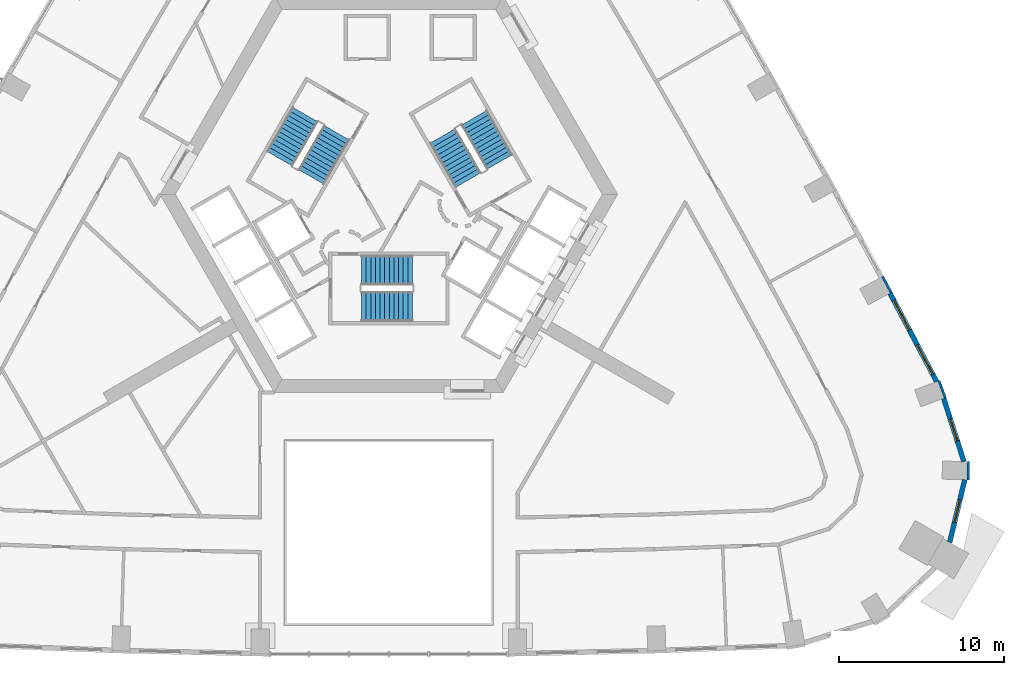
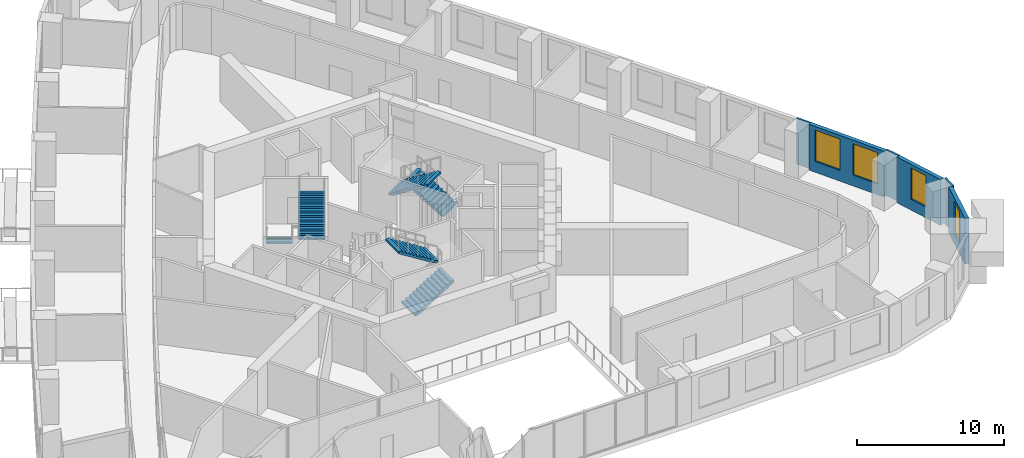
# One storey, part 11 of 15: 6 stair flights, 6 walls, 4 windows, 4 openings, 3 elements without a shape of their own.
"""IFC4 building model written with IfcOpenShell, lengths in metres."""

from ifc_helpers import new_model, si_unit, direction, frame, frame_2d, origin, place, context, subcontext, project, spatial, polyline, rectangle, outline, extrude, material, layer, layer_set, type_object, element, fill, aggregate, save


model = new_model("IFC4")

# Units and contexts
model_context = context("Model", 3, precision=1e-05, world=origin(), true_north=direction((0.0, 1.0)))
body_context = subcontext(model_context, "Body", "Model", "MODEL_VIEW")
ifc_project = project(units=[si_unit("LENGTHUNIT", "METRE"), si_unit("AREAUNIT", "SQUARE_METRE"), si_unit("VOLUMEUNIT", "CUBIC_METRE"), si_unit("PLANEANGLEUNIT", "RADIAN"), si_unit("MASSUNIT", "GRAM", prefix="KILO")], contexts=[model_context])

# Site, building, storey
site_placement = place(None, origin())
site = spatial("IfcSite", under=ifc_project, at=site_placement, CompositionType="ELEMENT")
building_placement = place(site_placement, origin())
building = spatial("IfcBuilding", under=site, at=building_placement, Name="Entoto Arch Interchange Tower", CompositionType="ELEMENT")
storey_placement = place(building_placement, frame((0.0, 0.0, 171.800048828125)))
storey = spatial("IfcBuildingStorey", under=building, at=storey_placement, Name="L38", CompositionType="ELEMENT", Elevation=171.800048828125)

# Wall, opening, window
ifc_material_1 = material(Name="Welded tuff (ignimbrite) cladding, warm buff", Category="masonry")
ifc_layer_1 = layer(ifc_material_1, 0.300048828125)
ifc_layer_set_1 = layer_set([ifc_layer_1], Name="Welded tuff (ignimbrite) cladding, warm buff")
wall_type_1 = type_object("IfcWallType", Name="STONE INFILL WALL 300", PredefinedType="STANDARD", material=ifc_layer_set_1)
wall_1_placement = place(storey_placement, frame((33.972900390625, -18.574951171875, 0.0), z_axis=(0.0, 0.0, 1.0), x_axis=(0.234102046927, 0.972212030179, 0.0)))
wall_1 = element("IfcWall", 1, at=wall_1_placement, inside=storey, type_object=wall_type_1, Name="Facade wall SE-03 L38", PredefinedType="STANDARD", context=body_context, shape_type="SweptSolid", body=[
    extrude(rectangle(XDim=3.900390625, YDim=0.300048828125, at=frame_2d((1.9501953125, 0.0))), origin(), (0.0, 0.0, 1.0), 3.800048828125),
])
opening_1_placement = place(wall_1_placement, frame((1.25, 0.0, 0.89990234375)))
opening_1 = element("IfcOpeningElement", 2, at=opening_1_placement, cuts=wall_1, Name="Opening WO-B", PredefinedType="OPENING", context=body_context, shape_type="SweptSolid", body=[
    extrude(rectangle(XDim=1.39990234375, YDim=2.60009765625, at=frame_2d((0.699951171875, 1.300048828125))), frame((0.0, 0.16015625, 0.0), z_axis=(0.0, -1.0, 0.0), x_axis=(1.0, 0.0, 0.0)), (0.0, 0.0, 1.0), 0.320068359375),
])
ifc_material_2 = material(Name="Clear glass, low-e double glazed", Category="glass")
window_type_1 = type_object("IfcWindowType", Name="WINDOW WO-B 1400x2600", PartitioningType="DOUBLE_PANEL_VERTICAL", PredefinedType="WINDOW", material=ifc_material_2)
window_1_placement = place(opening_1_placement, origin())
window_1 = element("IfcWindow", 3, at=window_1_placement, inside=storey, type_object=window_type_1, Name="Window WO-B SE-03 L38", OverallHeight=2.60009765625, OverallWidth=1.39990234375, PartitioningType="SINGLE_PANEL", PredefinedType="WINDOW", context=body_context, shape_type="SweptSolid", body=[
    extrude(rectangle(XDim=1.39990234375, YDim=2.60009765625, at=frame_2d((0.699951171875, 1.300048828125))), frame((0.0, 0.030029296875, 0.0), z_axis=(0.0, -1.0, 0.0), x_axis=(1.0, 0.0, 0.0)), (0.0, 0.0, 1.0), 0.06005859375),
])
fill(opening_1, window_1)

wall_2_placement = place(storey_placement, frame((34.8349609375, -13.68408203125, 0.0), z_axis=(0.0, 0.0, 1.0), x_axis=(-0.305018133869, 0.952346543025, 0.0)))
wall_2 = element("IfcWall", 4, at=wall_2_placement, inside=storey, type_object=wall_type_1, Name="Facade wall SE-04 L38", PredefinedType="STANDARD", context=body_context, shape_type="SweptSolid", body=[
    extrude(rectangle(XDim=4.019775390625, YDim=0.300048828125, at=frame_2d((2.009765625, 0.0))), origin(), (0.0, 0.0, 1.0), 3.800048828125),
])
opening_2_placement = place(wall_2_placement, frame((1.31005859375, 0.0, 0.89990234375)))
opening_2 = element("IfcOpeningElement", 5, at=opening_2_placement, cuts=wall_2, Name="Opening WO-B", PredefinedType="OPENING", context=body_context, shape_type="SweptSolid", body=[
    extrude(rectangle(XDim=1.39990234375, YDim=2.60009765625, at=frame_2d((0.699951171875, 1.300048828125))), frame((0.0, 0.16015625, 0.0), z_axis=(0.0, -1.0, 0.0), x_axis=(1.0, 0.0, 0.0)), (0.0, 0.0, 1.0), 0.320068359375),
])
window_2_placement = place(opening_2_placement, origin())
window_2 = element("IfcWindow", 6, at=window_2_placement, inside=storey, type_object=window_type_1, Name="Window WO-B SE-04 L38", OverallHeight=2.60009765625, OverallWidth=1.39990234375, PartitioningType="SINGLE_PANEL", PredefinedType="WINDOW", context=body_context, shape_type="SweptSolid", body=[
    extrude(rectangle(XDim=1.39990234375, YDim=2.60009765625, at=frame_2d((0.699951171875, 1.300048828125))), frame((0.0, 0.030029296875, 0.0), z_axis=(0.0, -1.0, 0.0), x_axis=(1.0, 0.0, 0.0)), (0.0, 0.0, 1.0), 0.06005859375),
])
fill(opening_2, window_2)

# Wall, openings, windows
wall_3_placement = place(storey_placement, frame((33.181884765625, -8.843994140625, 0.0), z_axis=(0.0, 0.0, 1.0), x_axis=(-0.466399410196, 0.884574242316, 0.0)))
wall_3 = element("IfcWall", 7, at=wall_3_placement, inside=storey, type_object=wall_type_1, Name="Facade wall NE-01 L38", PredefinedType="STANDARD", context=body_context, shape_type="SweptSolid", body=[
    extrude(rectangle(XDim=6.054931640625, YDim=0.300048828125, at=frame_2d((3.02734375, 0.0))), origin(), (0.0, 0.0, 1.0), 3.800048828125),
])
opening_3_placement = place(wall_3_placement, frame((0.513916015625, 0.0, 0.89990234375)))
opening_3 = element("IfcOpeningElement", 8, at=opening_3_placement, cuts=wall_3, Name="Opening WO-C", PredefinedType="OPENING", context=body_context, shape_type="SweptSolid", body=[
    extrude(rectangle(XDim=2.0, YDim=2.60009765625, at=frame_2d((1.0, 1.300048828125))), frame((0.0, 0.16015625, 0.0), z_axis=(0.0, -1.0, 0.0), x_axis=(1.0, 0.0, 0.0)), (0.0, 0.0, 1.0), 0.320068359375),
])
opening_4_placement = place(wall_3_placement, frame((3.541015625, 0.0, 0.89990234375)))
opening_4 = element("IfcOpeningElement", 9, at=opening_4_placement, cuts=wall_3, Name="Opening WO-C", PredefinedType="OPENING", context=body_context, shape_type="SweptSolid", body=[
    extrude(rectangle(XDim=2.0, YDim=2.60009765625, at=frame_2d((1.0, 1.300048828125))), frame((0.0, 0.16015625, 0.0), z_axis=(0.0, -1.0, 0.0), x_axis=(1.0, 0.0, 0.0)), (0.0, 0.0, 1.0), 0.320068359375),
])
window_type_2 = type_object("IfcWindowType", Name="WINDOW WO-C 2000x2600", PartitioningType="DOUBLE_PANEL_VERTICAL", PredefinedType="WINDOW", material=ifc_material_2)
window_3_placement = place(opening_3_placement, origin())
window_3 = element("IfcWindow", 10, at=window_3_placement, inside=storey, type_object=window_type_2, Name="Window WO-C NE-01 L38", OverallHeight=2.60009765625, OverallWidth=2.0, PartitioningType="SINGLE_PANEL", PredefinedType="WINDOW", context=body_context, shape_type="SweptSolid", body=[
    extrude(rectangle(XDim=2.0, YDim=2.60009765625, at=frame_2d((1.0, 1.300048828125))), frame((0.0, 0.030029296875, 0.0), z_axis=(0.0, -1.0, 0.0), x_axis=(1.0, 0.0, 0.0)), (0.0, 0.0, 1.0), 0.06005859375),
])
fill(opening_3, window_3)
window_4_placement = place(opening_4_placement, origin())
window_4 = element("IfcWindow", 11, at=window_4_placement, inside=storey, type_object=window_type_2, Name="Window WO-C NE-01 L38", OverallHeight=2.60009765625, OverallWidth=2.0, PartitioningType="SINGLE_PANEL", PredefinedType="WINDOW", context=body_context, shape_type="SweptSolid", body=[
    extrude(rectangle(XDim=2.0, YDim=2.60009765625, at=frame_2d((1.0, 1.300048828125))), frame((0.0, 0.030029296875, 0.0), z_axis=(0.0, -1.0, 0.0), x_axis=(1.0, 0.0, 0.0)), (0.0, 0.0, 1.0), 0.06005859375),
])
fill(opening_4, window_4)

# Walls
ifc_layer_2 = layer(ifc_material_1, 0.14990234375)
ifc_layer_set_2 = layer_set([ifc_layer_2], Name="Welded tuff (ignimbrite) cladding, warm buff")
wall_type_2 = type_object("IfcWallType", Name="STONE PIER CLADDING 150", PredefinedType="STANDARD", material=ifc_layer_set_2)
for number, where, z_axis, x_axis, name in (
    (12, (33.701904296875, -9.822998046875, 0.0), (0.0, 0.0, 1.0), (-0.346229846278, 0.938149718087, 0.0), "Stone pier NE01 L38"),
    (13, (30.426025390625, -3.452880859375, 0.0), (0.0, 0.0, 1.0), (-0.470058271093, 0.88263538439, 0.0), "Stone pier NE02 L38"),
):
    element("IfcWall", number, at=place(storey_placement, frame(where, z_axis=z_axis, x_axis=x_axis)), inside=storey, type_object=wall_type_2, Name=name, PredefinedType="STANDARD", context=body_context, shape_type="SweptSolid", body=[
        extrude(rectangle(XDim=1.10009765625, YDim=0.14990234375, at=frame_2d((0.550048828125, 0.0))), origin(), (0.0, 0.0, 1.0), 3.800048828125),
    ])
wall_4_placement = place(storey_placement, frame((35.0830078125, -14.7890625, 0.0), z_axis=(0.0, 0.0, 1.0), x_axis=(0.023517683673, 0.999723421029, 0.0)))
element("IfcWall", 14, at=wall_4_placement, inside=storey, type_object=wall_type_2, Name="Stone pier SE3 L38", PredefinedType="STANDARD", context=body_context, shape_type="SweptSolid", body=[
    extrude(rectangle(XDim=1.100341796875, YDim=0.14990234375, at=frame_2d((0.55029296875, 0.0))), origin(), (0.0, 0.0, 1.0), 3.800048828125),
])

# Stair, stair flights
ifc_material_3 = material(Name="Concrete C40/50", Category="concrete")
stair_type = type_object("IfcStairType", Name="EXIT STAIR RC 1800", PredefinedType="HALF_TURN_STAIR", material=ifc_material_3)
stair_1_placement = place(storey_placement, origin())
stair_1 = element("IfcStair", 15, at=stair_1_placement, inside=storey, type_object=stair_type, Name="L38 Exit stair S", PredefinedType="HALF_TURN_STAIR")
stair_flight_type = type_object("IfcStairFlightType", Name="EXIT STAIR FLIGHT RC 1800", PredefinedType="STRAIGHT", material=ifc_material_3)
stair_flight_1_placement = place(storey_placement, frame((-1.64990234375, -4.300048828125, 0.0), z_axis=(0.0, 0.0, 1.0), x_axis=(1.0, 0.0, 0.0)))
stair_flight_1 = element("IfcStairFlight", 16, at=stair_flight_1_placement, type_object=stair_flight_type, Name="ST-S flight 1", NumberOfRisers=12, NumberOfTreads=11, PredefinedType="STRAIGHT", RiserHeight=0.175, TreadLength=0.28, context=body_context, shape_type="SweptSolid", body=[
    extrude(outline(polyline([(-0.0029296875, 0.0), (-0.0029296875, 0.175048828125), (0.280029296875, 0.175048828125), (0.280029296875, 0.35009765625), (0.56005859375, 0.35009765625), (0.56005859375, 0.52490234375), (0.840087890625, 0.52490234375), (0.840087890625, 0.699951171875), (1.1201171875, 0.699951171875), (1.1201171875, 0.875), (1.39990234375, 0.875), (1.39990234375, 1.050048828125), (1.679931640625, 1.050048828125), (1.679931640625, 1.22509765625), (1.9599609375, 1.22509765625), (1.9599609375, 1.39990234375), (2.239990234375, 1.39990234375), (2.239990234375, 1.574951171875), (2.52001953125, 1.574951171875), (2.52001953125, 1.75), (2.800048828125, 1.75), (2.800048828125, 1.925048828125), (3.080078125, 1.925048828125), (3.0830078125, 1.925048828125), (3.0830078125, 1.75), (0.28271484375, 0.0), (-0.0029296875, 0.0)])), frame((0.0, 0.89990234375, 0.0), z_axis=(0.0, -1.0, 0.0), x_axis=(1.0, 0.0, 0.0)), (0.0, 0.0, 1.0), 1.800048828125),
])
stair_flight_2_placement = place(storey_placement, frame((1.429931640625, -2.10009765625, 2.099853515625), z_axis=(0.0, 0.0, 1.0), x_axis=(-1.0, 0.0, 0.0)))
stair_flight_2 = element("IfcStairFlight", 17, at=stair_flight_2_placement, type_object=stair_flight_type, Name="ST-S flight 2", NumberOfRisers=12, NumberOfTreads=11, PredefinedType="STRAIGHT", RiserHeight=0.175, TreadLength=0.28, context=body_context, shape_type="SweptSolid", body=[
    extrude(outline(polyline([(-0.0029296875, 0.0), (-0.0029296875, 0.175048828125), (0.280029296875, 0.175048828125), (0.280029296875, 0.35009765625), (0.56005859375, 0.35009765625), (0.56005859375, 0.52490234375), (0.840087890625, 0.52490234375), (0.840087890625, 0.699951171875), (1.1201171875, 0.699951171875), (1.1201171875, 0.875), (1.39990234375, 0.875), (1.39990234375, 1.050048828125), (1.679931640625, 1.050048828125), (1.679931640625, 1.22509765625), (1.9599609375, 1.22509765625), (1.9599609375, 1.39990234375), (2.239990234375, 1.39990234375), (2.239990234375, 1.574951171875), (2.52001953125, 1.574951171875), (2.52001953125, 1.75), (2.800048828125, 1.75), (2.800048828125, 1.925048828125), (3.080078125, 1.925048828125), (3.0830078125, 1.925048828125), (3.0830078125, 1.75), (0.28271484375, 0.0), (-0.0029296875, 0.0)])), frame((0.0, 0.89990234375, 0.0), z_axis=(0.0, -1.0, 0.0), x_axis=(1.0, 0.0, 0.0)), (0.0, 0.0, 1.0), 1.800048828125),
])
aggregate(stair_1, [stair_flight_1, stair_flight_2])

stair_2_placement = place(storey_placement, origin())
stair_2 = element("IfcStair", 18, at=stair_2_placement, inside=storey, type_object=stair_type, Name="L38 Exit stair NE", PredefinedType="HALF_TURN_STAIR")
stair_flight_3_placement = place(storey_placement, frame((6.7138671875, 4.470947265625, 0.0), z_axis=(0.0, 0.0, 1.0), x_axis=(-0.5, 0.866025403784, 0.0)))
stair_flight_3 = element("IfcStairFlight", 19, at=stair_flight_3_placement, type_object=stair_flight_type, Name="ST-NE flight 1", NumberOfRisers=12, NumberOfTreads=11, PredefinedType="STRAIGHT", RiserHeight=0.175, TreadLength=0.28, context=body_context, shape_type="SweptSolid", body=[
    extrude(outline(polyline([(-0.0029296875, 0.0), (-0.0029296875, 0.175048828125), (0.280029296875, 0.175048828125), (0.280029296875, 0.35009765625), (0.56005859375, 0.35009765625), (0.56005859375, 0.52490234375), (0.840087890625, 0.52490234375), (0.840087890625, 0.699951171875), (1.1201171875, 0.699951171875), (1.1201171875, 0.875), (1.39990234375, 0.875), (1.39990234375, 1.050048828125), (1.679931640625, 1.050048828125), (1.679931640625, 1.22509765625), (1.9599609375, 1.22509765625), (1.9599609375, 1.39990234375), (2.239990234375, 1.39990234375), (2.239990234375, 1.574951171875), (2.52001953125, 1.574951171875), (2.52001953125, 1.75), (2.800048828125, 1.75), (2.800048828125, 1.925048828125), (3.080078125, 1.925048828125), (3.0830078125, 1.925048828125), (3.0830078125, 1.75), (0.28271484375, 0.0), (-0.0029296875, 0.0)])), frame((0.0, 0.89990234375, 0.0), z_axis=(0.0, -1.0, 0.0), x_axis=(1.0, 0.0, 0.0)), (0.0, 0.0, 1.0), 1.800048828125),
])
stair_flight_4_placement = place(storey_placement, frame((3.268798828125, 6.038330078125, 2.099853515625), z_axis=(0.0, 0.0, 1.0), x_axis=(0.5, -0.866025403784, 0.0)))
stair_flight_4 = element("IfcStairFlight", 20, at=stair_flight_4_placement, type_object=stair_flight_type, Name="ST-NE flight 2", NumberOfRisers=12, NumberOfTreads=11, PredefinedType="STRAIGHT", RiserHeight=0.175, TreadLength=0.28, context=body_context, shape_type="SweptSolid", body=[
    extrude(outline(polyline([(-0.0029296875, 0.0), (-0.0029296875, 0.175048828125), (0.280029296875, 0.175048828125), (0.280029296875, 0.35009765625), (0.56005859375, 0.35009765625), (0.56005859375, 0.52490234375), (0.840087890625, 0.52490234375), (0.840087890625, 0.699951171875), (1.1201171875, 0.699951171875), (1.1201171875, 0.875), (1.39990234375, 0.875), (1.39990234375, 1.050048828125), (1.679931640625, 1.050048828125), (1.679931640625, 1.22509765625), (1.9599609375, 1.22509765625), (1.9599609375, 1.39990234375), (2.239990234375, 1.39990234375), (2.239990234375, 1.574951171875), (2.52001953125, 1.574951171875), (2.52001953125, 1.75), (2.800048828125, 1.75), (2.800048828125, 1.925048828125), (3.080078125, 1.925048828125), (3.0830078125, 1.925048828125), (3.0830078125, 1.75), (0.28271484375, 0.0), (-0.0029296875, 0.0)])), frame((0.0, 0.89990234375, 0.0), z_axis=(0.0, -1.0, 0.0), x_axis=(1.0, 0.0, 0.0)), (0.0, 0.0, 1.0), 1.800048828125),
])
aggregate(stair_2, [stair_flight_3, stair_flight_4])

stair_3_placement = place(storey_placement, origin())
stair_3 = element("IfcStair", 21, at=stair_3_placement, inside=storey, type_object=stair_type, Name="L38 Exit stair NW", PredefinedType="HALF_TURN_STAIR")
stair_flight_5_placement = place(storey_placement, frame((-5.06396484375, 7.328857421875, 0.0), z_axis=(0.0, 0.0, 1.0), x_axis=(-0.5, -0.866025403784, 0.0)))
stair_flight_5 = element("IfcStairFlight", 22, at=stair_flight_5_placement, type_object=stair_flight_type, Name="ST-NW flight 1", NumberOfRisers=12, NumberOfTreads=11, PredefinedType="STRAIGHT", RiserHeight=0.175, TreadLength=0.28, context=body_context, shape_type="SweptSolid", body=[
    extrude(outline(polyline([(-0.0029296875, 0.0), (-0.0029296875, 0.175048828125), (0.280029296875, 0.175048828125), (0.280029296875, 0.35009765625), (0.56005859375, 0.35009765625), (0.56005859375, 0.52490234375), (0.840087890625, 0.52490234375), (0.840087890625, 0.699951171875), (1.1201171875, 0.699951171875), (1.1201171875, 0.875), (1.39990234375, 0.875), (1.39990234375, 1.050048828125), (1.679931640625, 1.050048828125), (1.679931640625, 1.22509765625), (1.9599609375, 1.22509765625), (1.9599609375, 1.39990234375), (2.239990234375, 1.39990234375), (2.239990234375, 1.574951171875), (2.52001953125, 1.574951171875), (2.52001953125, 1.75), (2.800048828125, 1.75), (2.800048828125, 1.925048828125), (3.080078125, 1.925048828125), (3.0830078125, 1.925048828125), (3.0830078125, 1.75), (0.28271484375, 0.0), (-0.0029296875, 0.0)])), frame((0.0, 0.89990234375, 0.0), z_axis=(0.0, -1.0, 0.0), x_axis=(1.0, 0.0, 0.0)), (0.0, 0.0, 1.0), 1.800048828125),
])
stair_flight_6_placement = place(storey_placement, frame((-4.69873046875, 3.5615234375, 2.099853515625), z_axis=(0.0, 0.0, 1.0), x_axis=(0.5, 0.866025403784, 0.0)))
stair_flight_6 = element("IfcStairFlight", 23, at=stair_flight_6_placement, type_object=stair_flight_type, Name="ST-NW flight 2", NumberOfRisers=12, NumberOfTreads=11, PredefinedType="STRAIGHT", RiserHeight=0.175, TreadLength=0.28, context=body_context, shape_type="SweptSolid", body=[
    extrude(outline(polyline([(-0.0029296875, 0.0), (-0.0029296875, 0.175048828125), (0.280029296875, 0.175048828125), (0.280029296875, 0.35009765625), (0.56005859375, 0.35009765625), (0.56005859375, 0.52490234375), (0.840087890625, 0.52490234375), (0.840087890625, 0.699951171875), (1.1201171875, 0.699951171875), (1.1201171875, 0.875), (1.39990234375, 0.875), (1.39990234375, 1.050048828125), (1.679931640625, 1.050048828125), (1.679931640625, 1.22509765625), (1.9599609375, 1.22509765625), (1.9599609375, 1.39990234375), (2.239990234375, 1.39990234375), (2.239990234375, 1.574951171875), (2.52001953125, 1.574951171875), (2.52001953125, 1.75), (2.800048828125, 1.75), (2.800048828125, 1.925048828125), (3.080078125, 1.925048828125), (3.0830078125, 1.925048828125), (3.0830078125, 1.75), (0.28271484375, 0.0), (-0.0029296875, 0.0)])), frame((0.0, 0.89990234375, 0.0), z_axis=(0.0, -1.0, 0.0), x_axis=(1.0, 0.0, 0.0)), (0.0, 0.0, 1.0), 1.800048828125),
])
aggregate(stair_3, [stair_flight_5, stair_flight_6])

save(model, "model.ifc")
